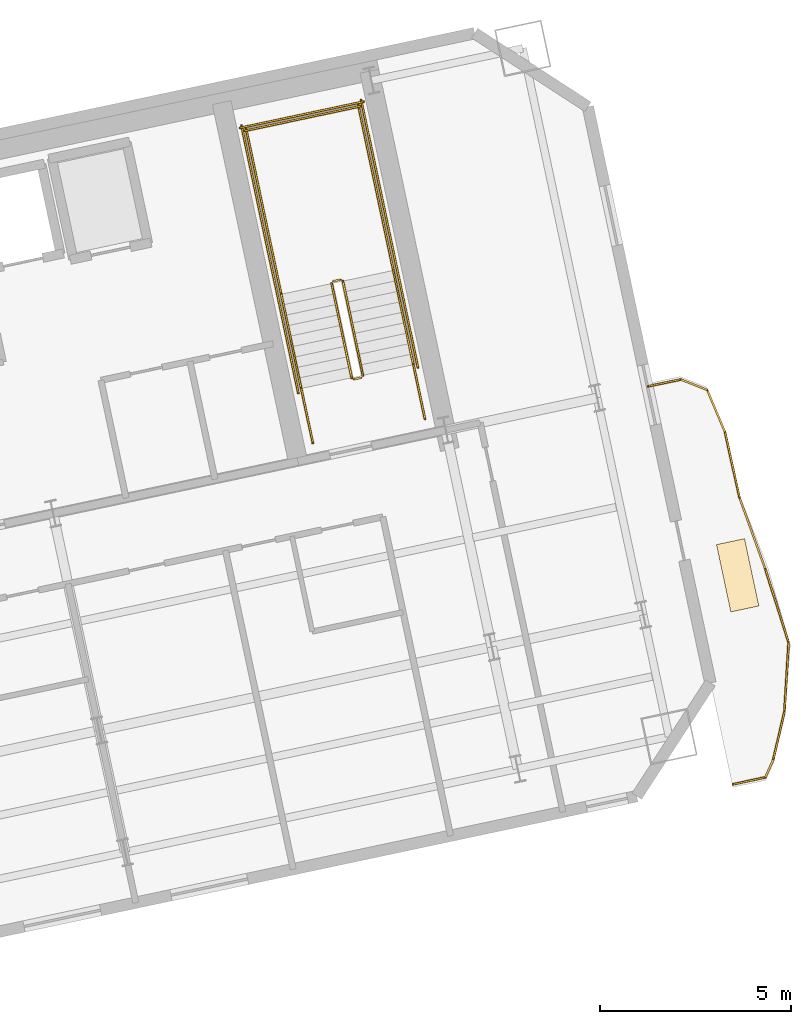
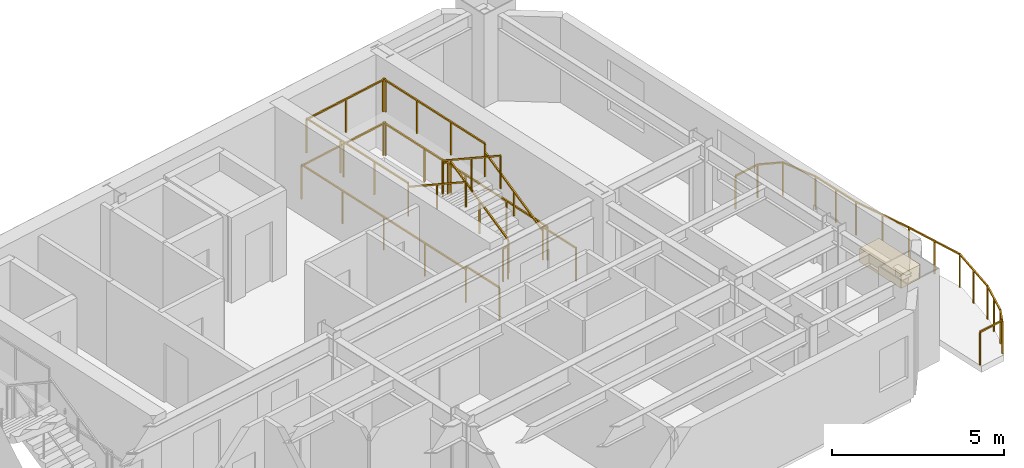
# One storey, part 13 of 14: 24 railings, 1 covering.
"""IFC4 building model written with IfcOpenShell, lengths in metres."""

from ifc_helpers import new_model, si_unit, direction, frame, origin, origin_2d, place, context, subcontext, project, spatial, rectangle, extrude, material, layer, layer_set, type_object, element, save


model = new_model("IFC4")

# Units and contexts
model_context = context("Model", 3, precision=1e-05, world=origin(), true_north=direction((0.0, 1.0)))
body_context = subcontext(model_context, "Body", "Model", "MODEL_VIEW")
ifc_project = project(units=[si_unit("LENGTHUNIT", "METRE"), si_unit("AREAUNIT", "SQUARE_METRE"), si_unit("VOLUMEUNIT", "CUBIC_METRE"), si_unit("PLANEANGLEUNIT", "RADIAN"), si_unit("MASSUNIT", "GRAM", prefix="KILO")], contexts=[model_context])

# Site, building, storey
site_placement = place(None, origin())
site = spatial("IfcSite", under=ifc_project, at=site_placement, CompositionType="ELEMENT")
building_placement = place(site_placement, origin())
building = spatial("IfcBuilding", under=site, at=building_placement, Name="Haevon Station Towers", CompositionType="ELEMENT")
storey_placement = place(building_placement, frame((0.0, 0.0, 169.199951171875)))
storey = spatial("IfcBuildingStorey", under=building, at=storey_placement, Name="L46", CompositionType="ELEMENT", Elevation=169.199951171875)

# Railings
ifc_material_1 = material(Name="Steel S355", Category="steel")
railing_type_1 = type_object("IfcRailingType", Name="GRD-EXT1200", PredefinedType="GUARDRAIL", material=ifc_material_1)
railing_1_placement = place(storey_placement, frame((126.807861328125, 32.541259765625, 0.0)))
element("IfcRailing", 1, at=railing_1_placement, inside=storey, type_object=railing_type_1, Name="L46 Perimeter Guardrail 1", PredefinedType="GUARDRAIL", context=body_context, shape_type="SweptSolid", body=[
    extrude(rectangle(XDim=0.048095703125, YDim=0.048095703125, at=origin_2d()), frame((0.0, 0.0, 1.17578125), z_axis=(0.977695451476, 0.210027627141, 0.0), x_axis=(-0.210027627141, 0.977695451476, 0.0)), (0.0, 0.0, 1.0), 0.869384765625),
    extrude(rectangle(XDim=0.0419921875, YDim=0.0419921875, at=origin_2d()), origin(), (0.0, 0.0, 1.0), 1.15185546875),
    extrude(rectangle(XDim=0.0419921875, YDim=0.0419921875, at=origin_2d()), frame((0.85009765625, 0.1826171875, 0.0)), (0.0, 0.0, 1.0), 1.15185546875),
])
railing_2_placement = place(storey_placement, frame((127.657958984375, 32.723876953125, 0.0)))
element("IfcRailing", 2, at=railing_2_placement, inside=storey, type_object=railing_type_1, Name="L46 Perimeter Guardrail 2", PredefinedType="GUARDRAIL", context=body_context, shape_type="SweptSolid", body=[
    extrude(rectangle(XDim=0.048095703125, YDim=0.048095703125, at=origin_2d()), frame((0.0, 0.0, 1.17578125), z_axis=(0.406806804169, 0.913514216683, 0.0), x_axis=(-0.913514216683, 0.406806804169, 0.0)), (0.0, 0.0, 1.0), 0.50830078125),
    extrude(rectangle(XDim=0.0419921875, YDim=0.0419921875, at=origin_2d()), origin(), (0.0, 0.0, 1.0), 1.15185546875),
    extrude(rectangle(XDim=0.0419921875, YDim=0.0419921875, at=origin_2d()), frame((0.206787109375, 0.46435546875, 0.0)), (0.0, 0.0, 1.0), 1.15185546875),
])
railing_3_placement = place(storey_placement, frame((127.86474609375, 33.188232421875, 0.0)))
element("IfcRailing", 3, at=railing_3_placement, inside=storey, type_object=railing_type_1, Name="L46 Perimeter Guardrail 3", PredefinedType="GUARDRAIL", context=body_context, shape_type="SweptSolid", body=[
    extrude(rectangle(XDim=0.048095703125, YDim=0.048095703125, at=origin_2d()), frame((0.0, 0.0, 1.17578125), z_axis=(0.225867086442, 0.974158128469, 0.0), x_axis=(-0.974158128469, 0.225867086442, 0.0)), (0.0, 0.0, 1.0), 1.291748046875),
    extrude(rectangle(XDim=0.0419921875, YDim=0.0419921875, at=origin_2d()), origin(), (0.0, 0.0, 1.0), 1.15185546875),
    extrude(rectangle(XDim=0.0419921875, YDim=0.0419921875, at=origin_2d()), frame((0.14599609375, 0.629150390625, 0.0)), (0.0, 0.0, 1.0), 1.15185546875),
    extrude(rectangle(XDim=0.0419921875, YDim=0.0419921875, at=origin_2d()), frame((0.291748046875, 1.25830078125, 0.0)), (0.0, 0.0, 1.0), 1.15185546875),
])
railing_4_placement = place(storey_placement, frame((128.156494140625, 34.446533203125, 0.0)))
element("IfcRailing", 4, at=railing_4_placement, inside=storey, type_object=railing_type_1, Name="L46 Perimeter Guardrail 4", PredefinedType="GUARDRAIL", context=body_context, shape_type="SweptSolid", body=[
    extrude(rectangle(XDim=0.048095703125, YDim=0.048095703125, at=origin_2d()), frame((0.0, 0.0, 1.17578125), z_axis=(0.060153002189, 0.998189168609, 0.0), x_axis=(-0.998189168609, 0.060153002189, 0.0)), (0.0, 0.0, 1.0), 1.81005859375),
    extrude(rectangle(XDim=0.0419921875, YDim=0.0419921875, at=origin_2d()), origin(), (0.0, 0.0, 1.0), 1.15185546875),
    extrude(rectangle(XDim=0.0419921875, YDim=0.0419921875, at=origin_2d()), frame((0.054443359375, 0.9033203125, 0.0)), (0.0, 0.0, 1.0), 1.15185546875),
    extrude(rectangle(XDim=0.0419921875, YDim=0.0419921875, at=origin_2d()), frame((0.10888671875, 1.806884765625, 0.0)), (0.0, 0.0, 1.0), 1.15185546875),
])
railing_5_placement = place(storey_placement, frame((128.265380859375, 36.25341796875, 0.0)))
element("IfcRailing", 5, at=railing_5_placement, inside=storey, type_object=railing_type_1, Name="L46 Perimeter Guardrail 5", PredefinedType="GUARDRAIL", context=body_context, shape_type="SweptSolid", body=[
    extrude(rectangle(XDim=0.048095703125, YDim=0.048095703125, at=origin_2d()), frame((0.0, 0.0, 1.17578125), z_axis=(-0.302524668593, 0.953141555538, 0.0), x_axis=(-0.953141555538, -0.302524668593, 0.0)), (0.0, 0.0, 1.0), 2.00390625),
    extrude(rectangle(XDim=0.0419921875, YDim=0.0419921875, at=origin_2d()), origin(), (0.0, 0.0, 1.0), 1.15185546875),
    extrude(rectangle(XDim=0.0419921875, YDim=0.0419921875, at=origin_2d()), frame((-0.30322265625, 0.955078125, 0.0)), (0.0, 0.0, 1.0), 1.15185546875),
    extrude(rectangle(XDim=0.0419921875, YDim=0.0419921875, at=origin_2d()), frame((-0.606201171875, 1.909912109375, 0.0)), (0.0, 0.0, 1.0), 1.15185546875),
])
railing_6_placement = place(storey_placement, frame((127.6591796875, 38.163330078125, 0.0)))
element("IfcRailing", 6, at=railing_6_placement, inside=storey, type_object=railing_type_1, Name="L46 Perimeter Guardrail 6", PredefinedType="GUARDRAIL", context=body_context, shape_type="SweptSolid", body=[
    extrude(rectangle(XDim=0.048095703125, YDim=0.048095703125, at=origin_2d()), frame((0.0, 0.0, 1.17578125), z_axis=(-0.339339589496, 0.940663937334, 0.0), x_axis=(-0.940663937334, -0.339339589496, 0.0)), (0.0, 0.0, 1.0), 2.00732421875),
    extrude(rectangle(XDim=0.0419921875, YDim=0.0419921875, at=origin_2d()), origin(), (0.0, 0.0, 1.0), 1.15185546875),
    extrude(rectangle(XDim=0.0419921875, YDim=0.0419921875, at=origin_2d()), frame((-0.340576171875, 0.944091796875, 0.0)), (0.0, 0.0, 1.0), 1.15185546875),
    extrude(rectangle(XDim=0.0419921875, YDim=0.0419921875, at=origin_2d()), frame((-0.68115234375, 1.88818359375, 0.0)), (0.0, 0.0, 1.0), 1.15185546875),
])
railing_7_placement = place(storey_placement, frame((126.97802734375, 40.051513671875, 0.0)))
element("IfcRailing", 7, at=railing_7_placement, inside=storey, type_object=railing_type_1, Name="L46 Perimeter Guardrail 7", PredefinedType="GUARDRAIL", context=body_context, shape_type="SweptSolid", body=[
    extrude(rectangle(XDim=0.048095703125, YDim=0.048095703125, at=origin_2d()), frame((0.0, 0.0, 1.17578125), z_axis=(-0.215069312973, 0.976598786922, 0.0), x_axis=(-0.976598786922, -0.215069312973, 0.0)), (0.0, 0.0, 1.0), 1.75048828125),
    extrude(rectangle(XDim=0.0419921875, YDim=0.0419921875, at=origin_2d()), origin(), (0.0, 0.0, 1.0), 1.15185546875),
    extrude(rectangle(XDim=0.0419921875, YDim=0.0419921875, at=origin_2d()), frame((-0.188232421875, 0.854736328125, 0.0)), (0.0, 0.0, 1.0), 1.15185546875),
    extrude(rectangle(XDim=0.0419921875, YDim=0.0419921875, at=origin_2d()), frame((-0.37646484375, 1.70947265625, 0.0)), (0.0, 0.0, 1.0), 1.15185546875),
])
railing_8_placement = place(storey_placement, frame((126.6015625, 41.760986328125, 0.0)))
element("IfcRailing", 8, at=railing_8_placement, inside=storey, type_object=railing_type_1, Name="L46 Perimeter Guardrail 8", PredefinedType="GUARDRAIL", context=body_context, shape_type="SweptSolid", body=[
    extrude(rectangle(XDim=0.048095703125, YDim=0.048095703125, at=origin_2d()), frame((0.0, 0.0, 1.17578125), z_axis=(-0.389860525795, 0.920873916683, 0.0), x_axis=(-0.920873916683, -0.389860525795, 0.0)), (0.0, 0.0, 1.0), 1.191650390625),
    extrude(rectangle(XDim=0.0419921875, YDim=0.0419921875, at=origin_2d()), origin(), (0.0, 0.0, 1.0), 1.15185546875),
    extrude(rectangle(XDim=0.0419921875, YDim=0.0419921875, at=origin_2d()), frame((-0.464599609375, 1.097412109375, 0.0)), (0.0, 0.0, 1.0), 1.15185546875),
])
railing_9_placement = place(storey_placement, frame((126.136962890625, 42.8583984375, 0.0)))
element("IfcRailing", 9, at=railing_9_placement, inside=storey, type_object=railing_type_1, Name="L46 Perimeter Guardrail 9", PredefinedType="GUARDRAIL", context=body_context, shape_type="SweptSolid", body=[
    extrude(rectangle(XDim=0.048095703125, YDim=0.048095703125, at=origin_2d()), frame((0.0, 0.0, 1.17578125), z_axis=(-0.929918939499, 0.367764552344, 0.0), x_axis=(-0.367764552344, -0.929918939499, 0.0)), (0.0, 0.0, 1.0), 0.743408203125),
    extrude(rectangle(XDim=0.0419921875, YDim=0.0419921875, at=origin_2d()), origin(), (0.0, 0.0, 1.0), 1.15185546875),
    extrude(rectangle(XDim=0.0419921875, YDim=0.0419921875, at=origin_2d()), frame((-0.69140625, 0.2734375, 0.0)), (0.0, 0.0, 1.0), 1.15185546875),
])
railing_10_placement = place(storey_placement, frame((125.445556640625, 43.1318359375, 0.0)))
element("IfcRailing", 10, at=railing_10_placement, inside=storey, type_object=railing_type_1, Name="L46 Perimeter Guardrail 10", PredefinedType="GUARDRAIL", context=body_context, shape_type="SweptSolid", body=[
    extrude(rectangle(XDim=0.048095703125, YDim=0.048095703125, at=origin_2d()), frame((0.0, 0.0, 1.17578125), z_axis=(-0.978588498747, -0.205826504901, 0.0), x_axis=(0.205826504901, -0.978588498747, 0.0)), (0.0, 0.0, 1.0), 0.869384765625),
    extrude(rectangle(XDim=0.0419921875, YDim=0.0419921875, at=origin_2d()), origin(), (0.0, 0.0, 1.0), 1.15185546875),
    extrude(rectangle(XDim=0.0419921875, YDim=0.0419921875, at=origin_2d()), frame((-0.850830078125, -0.178955078125, 0.0)), (0.0, 0.0, 1.0), 1.15185546875),
])
railing_type_2 = type_object("IfcRailingType", Name="GRD-STR1200", PredefinedType="GUARDRAIL", material=ifc_material_1)
railing_11_placement = place(storey_placement, frame((117.128662109375, 43.23974609375, 0.1650390625)))
element("IfcRailing", 11, at=railing_11_placement, inside=storey, type_object=railing_type_2, Name="L46 ST4 Stair Guard 1", PredefinedType="GUARDRAIL", context=body_context, shape_type="SweptSolid", body=[
    extrude(rectangle(XDim=0.048095703125, YDim=0.048095703125, at=origin_2d()), frame((0.0, 0.0, 1.17578125), z_axis=(-0.179121265225, 0.842687928106, 0.507732831485), x_axis=(-0.978147030254, -0.207914374695, 0.0)), (0.0, 0.0, 1.0), 2.925048828125),
    extrude(rectangle(XDim=0.0419921875, YDim=0.0419921875, at=origin_2d()), origin(), (0.0, 0.0, 1.0), 1.15185546875),
    extrude(rectangle(XDim=0.0419921875, YDim=0.0419921875, at=origin_2d()), frame((-0.261962890625, 1.232421875, 0.74267578125)), (0.0, 0.0, 1.0), 1.15185546875),
    extrude(rectangle(XDim=0.0419921875, YDim=0.0419921875, at=origin_2d()), frame((-0.52392578125, 2.46484375, 1.485107421875)), (0.0, 0.0, 1.0), 1.15185546875),
])
railing_12_placement = place(storey_placement, frame((116.54541015625, 45.7431640625, 1.650146484375)))
element("IfcRailing", 12, at=railing_12_placement, inside=storey, type_object=railing_type_2, Name="L46 ST4 Stair Guard 2", PredefinedType="GUARDRAIL", context=body_context, shape_type="SweptSolid", body=[
    extrude(rectangle(XDim=0.048095703125, YDim=0.048095703125, at=origin_2d()), frame((0.0, 0.0, 1.17578125), z_axis=(-0.97826412705, -0.207362720198, 0.0), x_axis=(0.207362720198, -0.97826412705, 0.0)), (0.0, 0.0, 1.0), 0.2001953125),
    extrude(rectangle(XDim=0.0419921875, YDim=0.0419921875, at=origin_2d()), origin(), (0.0, 0.0, 1.0), 1.15185546875),
    extrude(rectangle(XDim=0.0419921875, YDim=0.0419921875, at=origin_2d()), frame((-0.19580078125, -0.04150390625, 0.0)), (0.0, 0.0, 1.0), 1.15185546875),
])
railing_13_placement = place(storey_placement, frame((117.925048828125, 45.9853515625, 1.650146484375)))
element("IfcRailing", 13, at=railing_13_placement, inside=storey, type_object=railing_type_2, Name="L46 ST4 Stair Guard 3", PredefinedType="GUARDRAIL", context=body_context, shape_type="SweptSolid", body=[
    extrude(rectangle(XDim=0.048095703125, YDim=0.048095703125, at=origin_2d()), frame((0.0, 0.0, 1.17578125), z_axis=(-0.207876551949, 0.978155069071, 0.0), x_axis=(-0.978155069071, -0.207876551949, 0.0)), (0.0, 0.0, 1.0), 4.429931640625),
    extrude(rectangle(XDim=0.0419921875, YDim=0.0419921875, at=origin_2d()), origin(), (0.0, 0.0, 1.0), 1.15185546875),
    extrude(rectangle(XDim=0.0419921875, YDim=0.0419921875, at=origin_2d()), frame((-0.306884765625, 1.4443359375, 0.0)), (0.0, 0.0, 1.0), 1.15185546875),
    extrude(rectangle(XDim=0.0419921875, YDim=0.0419921875, at=origin_2d()), frame((-0.614013671875, 2.888916015625, 0.0)), (0.0, 0.0, 1.0), 1.15185546875),
    extrude(rectangle(XDim=0.0419921875, YDim=0.0419921875, at=origin_2d()), frame((-0.9208984375, 4.333251953125, 0.0)), (0.0, 0.0, 1.0), 1.15185546875),
])
railing_14_placement = place(storey_placement, frame((114.99072265625, 45.361572265625, 1.650146484375)))
element("IfcRailing", 14, at=railing_14_placement, inside=storey, type_object=railing_type_2, Name="L46 ST4 Stair Guard 4", PredefinedType="GUARDRAIL", context=body_context, shape_type="SweptSolid", body=[
    extrude(rectangle(XDim=0.048095703125, YDim=0.048095703125, at=origin_2d()), frame((0.0, 0.0, 1.17578125), z_axis=(-0.207929280007, 0.978143861871, 0.0), x_axis=(-0.978143861871, -0.207929280007, 0.0)), (0.0, 0.0, 1.0), 4.43017578125),
    extrude(rectangle(XDim=0.0419921875, YDim=0.0419921875, at=origin_2d()), origin(), (0.0, 0.0, 1.0), 1.15185546875),
    extrude(rectangle(XDim=0.0419921875, YDim=0.0419921875, at=origin_2d()), frame((-0.30712890625, 1.4443359375, 0.0)), (0.0, 0.0, 1.0), 1.15185546875),
    extrude(rectangle(XDim=0.0419921875, YDim=0.0419921875, at=origin_2d()), frame((-0.614013671875, 2.888916015625, 0.0)), (0.0, 0.0, 1.0), 1.15185546875),
    extrude(rectangle(XDim=0.0419921875, YDim=0.0419921875, at=origin_2d()), frame((-0.921142578125, 4.333251953125, 0.0)), (0.0, 0.0, 1.0), 1.15185546875),
])
railing_15_placement = place(storey_placement, frame((117.0634765625, 50.280029296875, 1.650146484375)))
element("IfcRailing", 15, at=railing_15_placement, inside=storey, type_object=railing_type_2, Name="L46 ST4 Stair Guard 5", PredefinedType="GUARDRAIL", context=body_context, shape_type="SweptSolid", body=[
    extrude(rectangle(XDim=0.048095703125, YDim=0.048095703125, at=origin_2d()), frame((0.0, 0.0, 1.17578125), z_axis=(-0.978146839882, -0.207915270313, 0.0), x_axis=(0.207915270313, -0.978146839882, 0.0)), (0.0, 0.0, 1.0), 3.099853515625),
    extrude(rectangle(XDim=0.0419921875, YDim=0.0419921875, at=origin_2d()), origin(), (0.0, 0.0, 1.0), 1.15185546875),
    extrude(rectangle(XDim=0.0419921875, YDim=0.0419921875, at=origin_2d()), frame((-1.51611328125, -0.322265625, 0.0)), (0.0, 0.0, 1.0), 1.15185546875),
    extrude(rectangle(XDim=0.0419921875, YDim=0.0419921875, at=origin_2d()), frame((-3.0322265625, -0.64453125, 0.0)), (0.0, 0.0, 1.0), 1.15185546875),
])
railing_16_placement = place(storey_placement, frame((116.311279296875, 45.642333984375, 1.81494140625)))
element("IfcRailing", 16, at=railing_16_placement, inside=storey, type_object=railing_type_2, Name="L46 ST4 Stair Guard 6", PredefinedType="GUARDRAIL", context=body_context, shape_type="SweptSolid", body=[
    extrude(rectangle(XDim=0.048095703125, YDim=0.048095703125, at=origin_2d()), frame((0.0, 0.0, 1.17578125), z_axis=(0.179108667068, -0.842712120868, 0.50769712105), x_axis=(0.978151217824, 0.207894673017, 0.0)), (0.0, 0.0, 1.0), 2.92529296875),
    extrude(rectangle(XDim=0.0419921875, YDim=0.0419921875, at=origin_2d()), origin(), (0.0, 0.0, 1.0), 1.15185546875),
    extrude(rectangle(XDim=0.0419921875, YDim=0.0419921875, at=origin_2d()), frame((0.261962890625, -1.232421875, 0.74267578125)), (0.0, 0.0, 1.0), 1.15185546875),
    extrude(rectangle(XDim=0.0419921875, YDim=0.0419921875, at=origin_2d()), frame((0.52392578125, -2.465087890625, 1.485107421875)), (0.0, 0.0, 1.0), 1.15185546875),
])
railing_17_placement = place(storey_placement, frame((117.090087890625, 43.180419921875, 0.0)))
element("IfcRailing", 17, at=railing_17_placement, inside=storey, type_object=railing_type_2, Name="L46 ST4 Stair Guard 7", PredefinedType="GUARDRAIL", context=body_context, shape_type="SweptSolid", body=[
    extrude(rectangle(XDim=0.048095703125, YDim=0.048095703125, at=origin_2d()), frame((0.0, 0.0, 1.17578125), z_axis=(-0.978211583308, -0.207610448392, 0.0), x_axis=(0.207610448392, -0.978211583308, 0.0)), (0.0, 0.0, 1.0), 0.199951171875),
    extrude(rectangle(XDim=0.0419921875, YDim=0.0419921875, at=origin_2d()), origin(), (0.0, 0.0, 1.0), 1.15185546875),
    extrude(rectangle(XDim=0.0419921875, YDim=0.0419921875, at=origin_2d()), frame((-0.195556640625, -0.04150390625, 0.0)), (0.0, 0.0, 1.0), 1.15185546875),
])
for number, where, name in (
    (18, (118.75048828125, 42.10205078125, 0.0), "L46 ST4 Stair Guard 8"),
    (19, (115.816162109375, 41.478271484375, 0.0), "L46 ST4 Stair Guard 9"),
):
    element("IfcRailing", number, at=place(storey_placement, frame(where)), inside=storey, type_object=railing_type_2, Name=name, PredefinedType="GUARDRAIL", context=body_context, shape_type="SweptSolid", body=[
        extrude(rectangle(XDim=0.048095703125, YDim=0.048095703125, at=origin_2d()), frame((0.0, 0.0, 1.17578125), z_axis=(-0.207919161079, 0.978146012851, 0.0), x_axis=(-0.978146012851, -0.207919161079, 0.0)), (0.0, 0.0, 1.0), 1.4501953125),
        extrude(rectangle(XDim=0.0419921875, YDim=0.0419921875, at=origin_2d()), origin(), (0.0, 0.0, 1.0), 1.15185546875),
        extrude(rectangle(XDim=0.0419921875, YDim=0.0419921875, at=origin_2d()), frame((-0.301513671875, 1.41845703125, 0.0)), (0.0, 0.0, 1.0), 1.15185546875),
    ])
railing_18_placement = place(storey_placement, frame((118.567626953125, 43.443359375, 0.0)))
element("IfcRailing", 20, at=railing_18_placement, inside=storey, type_object=railing_type_2, Name="L46 ST4 Stair Guard 10", PredefinedType="GUARDRAIL", context=body_context, shape_type="SweptSolid", body=[
    extrude(rectangle(XDim=0.048095703125, YDim=0.048095703125, at=origin_2d()), frame((0.0, 0.0, 1.17578125), z_axis=(-0.207908168386, 0.978148349443, 0.0), x_axis=(-0.978148349443, -0.207908168386, 0.0)), (0.0, 0.0, 1.0), 7.150146484375),
    extrude(rectangle(XDim=0.0419921875, YDim=0.0419921875, at=origin_2d()), origin(), (0.0, 0.0, 1.0), 1.15185546875),
    extrude(rectangle(XDim=0.0419921875, YDim=0.0419921875, at=origin_2d()), frame((-0.37158203125, 1.74853515625, 0.0)), (0.0, 0.0, 1.0), 1.15185546875),
    extrude(rectangle(XDim=0.0419921875, YDim=0.0419921875, at=origin_2d()), frame((-0.7431640625, 3.4970703125, 0.0)), (0.0, 0.0, 1.0), 1.15185546875),
    extrude(rectangle(XDim=0.0419921875, YDim=0.0419921875, at=origin_2d()), frame((-1.114990234375, 5.245361328125, 0.0)), (0.0, 0.0, 1.0), 1.15185546875),
    extrude(rectangle(XDim=0.0419921875, YDim=0.0419921875, at=origin_2d()), frame((-1.486572265625, 6.993896484375, 0.0)), (0.0, 0.0, 1.0), 1.15185546875),
])
railing_19_placement = place(storey_placement, frame((115.4375, 42.778076171875, 0.0)))
element("IfcRailing", 21, at=railing_19_placement, inside=storey, type_object=railing_type_2, Name="L46 ST4 Stair Guard 11", PredefinedType="GUARDRAIL", context=body_context, shape_type="SweptSolid", body=[
    extrude(rectangle(XDim=0.048095703125, YDim=0.048095703125, at=origin_2d()), frame((0.0, 0.0, 1.17578125), z_axis=(-0.207882442208, 0.978153817261, 0.0), x_axis=(-0.978153817261, -0.207882442208, 0.0)), (0.0, 0.0, 1.0), 7.14990234375),
    extrude(rectangle(XDim=0.0419921875, YDim=0.0419921875, at=origin_2d()), origin(), (0.0, 0.0, 1.0), 1.15185546875),
    extrude(rectangle(XDim=0.0419921875, YDim=0.0419921875, at=origin_2d()), frame((-0.37158203125, 1.74853515625, 0.0)), (0.0, 0.0, 1.0), 1.15185546875),
    extrude(rectangle(XDim=0.0419921875, YDim=0.0419921875, at=origin_2d()), frame((-0.7431640625, 3.496826171875, 0.0)), (0.0, 0.0, 1.0), 1.15185546875),
    extrude(rectangle(XDim=0.0419921875, YDim=0.0419921875, at=origin_2d()), frame((-1.11474609375, 5.2451171875, 0.0)), (0.0, 0.0, 1.0), 1.15185546875),
    extrude(rectangle(XDim=0.0419921875, YDim=0.0419921875, at=origin_2d()), frame((-1.486328125, 6.99365234375, 0.0)), (0.0, 0.0, 1.0), 1.15185546875),
])
railing_20_placement = place(storey_placement, frame((117.140380859375, 50.398681640625, 0.0)))
element("IfcRailing", 22, at=railing_20_placement, inside=storey, type_object=railing_type_2, Name="L46 ST4 Stair Guard 12", PredefinedType="GUARDRAIL", context=body_context, shape_type="SweptSolid", body=[
    extrude(rectangle(XDim=0.048095703125, YDim=0.048095703125, at=origin_2d()), frame((0.0, 0.0, 1.17578125), z_axis=(-0.978135717418, -0.207967589567, 0.0), x_axis=(0.207967589567, -0.978135717418, 0.0)), (0.0, 0.0, 1.0), 3.300048828125),
    extrude(rectangle(XDim=0.0419921875, YDim=0.0419921875, at=origin_2d()), origin(), (0.0, 0.0, 1.0), 1.15185546875),
    extrude(rectangle(XDim=0.0419921875, YDim=0.0419921875, at=origin_2d()), frame((-1.61376953125, -0.34326171875, 0.0)), (0.0, 0.0, 1.0), 1.15185546875),
    extrude(rectangle(XDim=0.0419921875, YDim=0.0419921875, at=origin_2d()), frame((-3.227783203125, -0.686279296875, 0.0)), (0.0, 0.0, 1.0), 1.15185546875),
])
railing_type_3 = type_object("IfcRailingType", Name="HND-STR900", PredefinedType="HANDRAIL", material=ifc_material_1)
railing_21_placement = place(storey_placement, frame((118.448974609375, 43.5205078125, 0.1650390625)))
element("IfcRailing", 23, at=railing_21_placement, inside=storey, type_object=railing_type_3, Name="L46 ST4 Stair Handrail 1", PredefinedType="HANDRAIL", context=body_context, shape_type="SweptSolid", body=[
    extrude(rectangle(XDim=0.048095703125, YDim=0.048095703125, at=origin_2d()), frame((0.0, 0.0, 0.8759765625), z_axis=(-0.179121265225, 0.842687928106, 0.507732831485), x_axis=(-0.978147030254, -0.207914374695, 0.0)), (0.0, 0.0, 1.0), 2.925048828125),
    extrude(rectangle(XDim=0.0419921875, YDim=0.0419921875, at=origin_2d()), origin(), (0.0, 0.0, 1.0), 0.851806640625),
    extrude(rectangle(XDim=0.0419921875, YDim=0.0419921875, at=origin_2d()), frame((-0.261962890625, 1.232421875, 0.74267578125)), (0.0, 0.0, 1.0), 0.851806640625),
    extrude(rectangle(XDim=0.0419921875, YDim=0.0419921875, at=origin_2d()), frame((-0.52392578125, 2.46484375, 1.485107421875)), (0.0, 0.0, 1.0), 0.851806640625),
])
railing_22_placement = place(storey_placement, frame((114.99072265625, 45.361572265625, 1.81494140625)))
element("IfcRailing", 24, at=railing_22_placement, inside=storey, type_object=railing_type_3, Name="L46 ST4 Stair Handrail 2", PredefinedType="HANDRAIL", context=body_context, shape_type="SweptSolid", body=[
    extrude(rectangle(XDim=0.048095703125, YDim=0.048095703125, at=origin_2d()), frame((0.0, 0.0, 0.8759765625), z_axis=(0.179121265225, -0.842687928106, 0.507732831485), x_axis=(0.978147030254, 0.207914374695, 0.0)), (0.0, 0.0, 1.0), 2.925048828125),
    extrude(rectangle(XDim=0.0419921875, YDim=0.0419921875, at=origin_2d()), origin(), (0.0, 0.0, 1.0), 0.851806640625),
    extrude(rectangle(XDim=0.0419921875, YDim=0.0419921875, at=origin_2d()), frame((0.261962890625, -1.232421875, 0.74267578125)), (0.0, 0.0, 1.0), 0.851806640625),
    extrude(rectangle(XDim=0.0419921875, YDim=0.0419921875, at=origin_2d()), frame((0.52392578125, -2.46484375, 1.485107421875)), (0.0, 0.0, 1.0), 0.851806640625),
])

# Covering
ifc_material_2 = material(Name="Architectural planter GRC", Category="concrete")
ifc_layer = layer(ifc_material_2, 0.550048828125)
ifc_layer_set = layer_set([ifc_layer], Name="Architectural planter GRC")
covering_type = type_object("IfcCoveringType", Name="PLN-GRC550", PredefinedType="MOLDING", material=ifc_layer_set)
covering_placement = place(storey_placement, frame((126.93359375, 38.009033203125, 0.0), z_axis=(0.0, 0.0, 1.0), x_axis=(0.978147600734, 0.207911690818, 0.0)))
element("IfcCovering", 25, at=covering_placement, inside=storey, type_object=covering_type, Name="Tower 2 L46 Scalloped Balcony PLANTER", PredefinedType="MOLDING", context=body_context, shape_type="SweptSolid", body=[
    extrude(rectangle(XDim=0.75, YDim=1.800048828125, at=origin_2d()), origin(), (0.0, 0.0, 1.0), 0.5),
])

save(model, "model.ifc")
